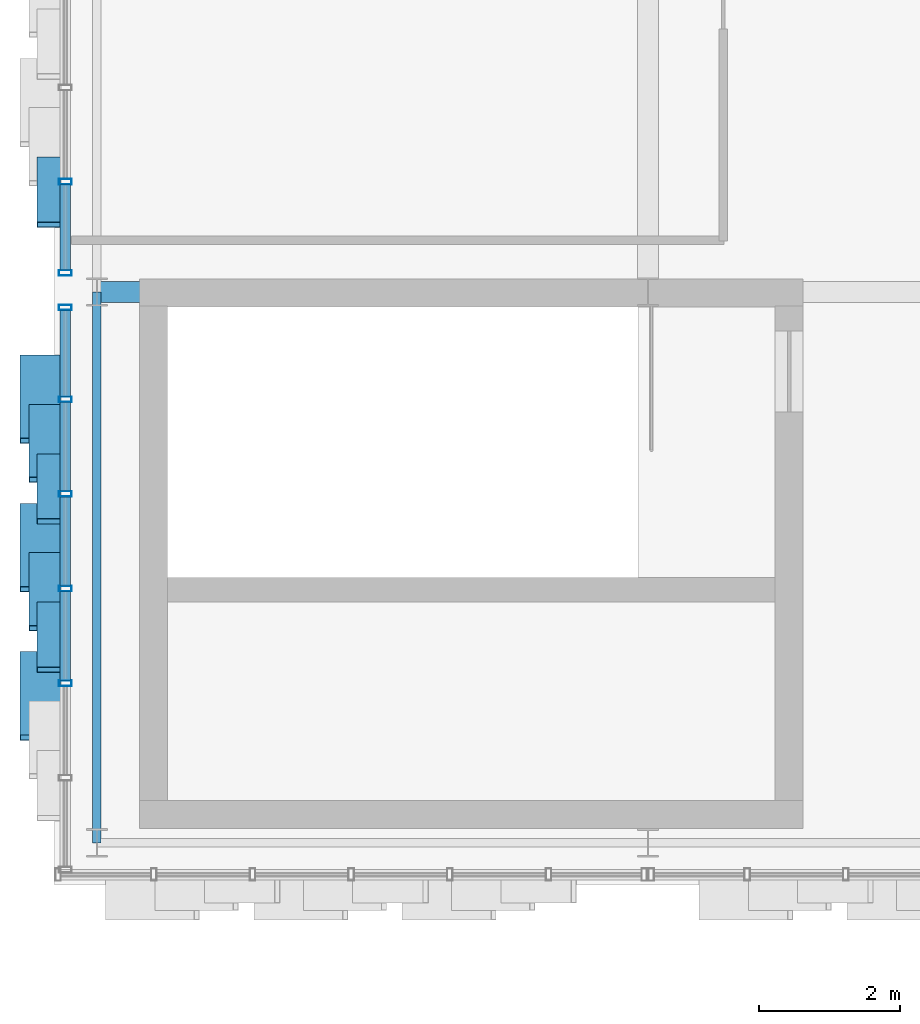
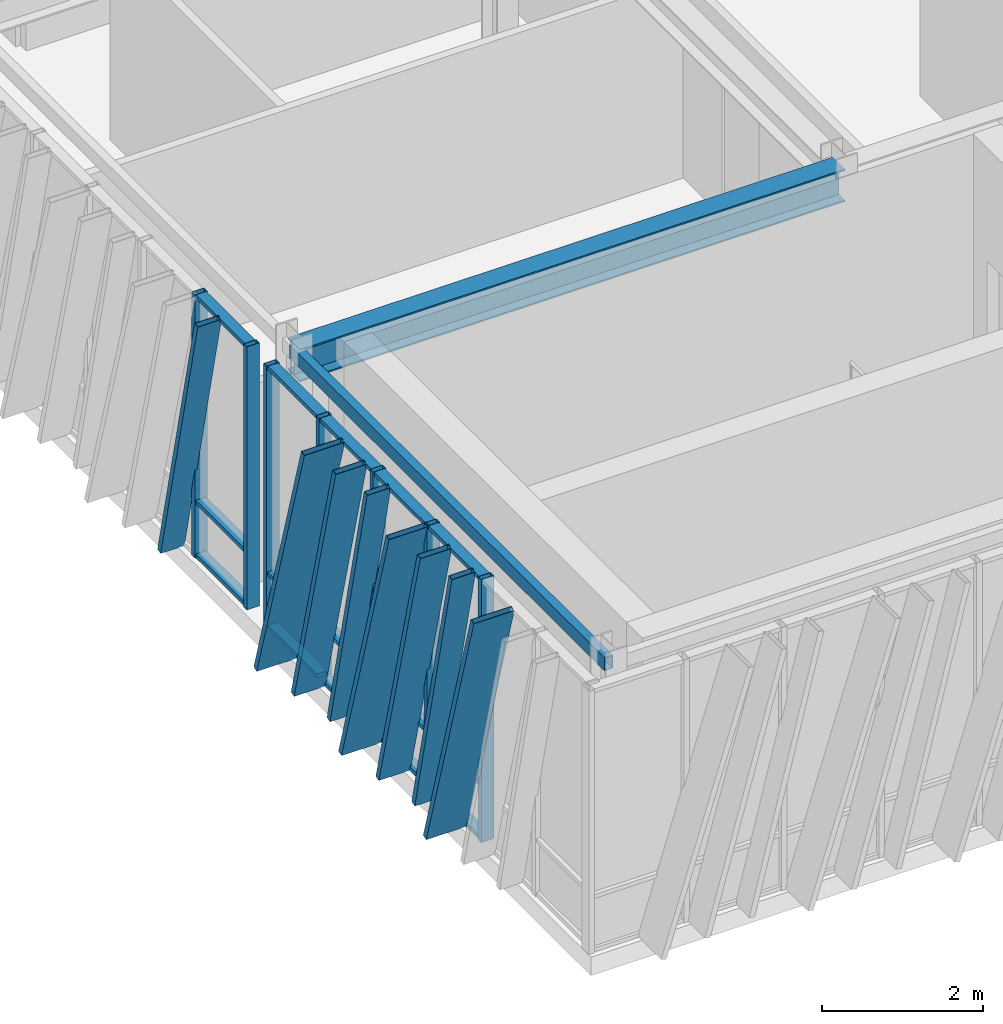
# One storey, part 32 of 123: 30 members, 2 beams, 2 elements without a shape of their own.
"""IFC4 building model written with IfcOpenShell, lengths in metres."""

from ifc_helpers import new_model, si_unit, direction, frame, origin, origin_2d, place, context, subcontext, project, spatial, hollow_rectangle, i_section, extrude, material, layer, layer_set, material_profile, profile_set, type_object, element, aggregate, save


model = new_model("IFC4")

# Units and contexts
model_context = context("Model", 3, precision=1e-05, world=origin(), true_north=direction((0.0, 1.0)))
body_context = subcontext(model_context, "Body", "Model", "MODEL_VIEW")
ifc_project = project(units=[si_unit("LENGTHUNIT", "METRE"), si_unit("AREAUNIT", "SQUARE_METRE"), si_unit("VOLUMEUNIT", "CUBIC_METRE"), si_unit("PLANEANGLEUNIT", "RADIAN"), si_unit("MASSUNIT", "GRAM", prefix="KILO")], contexts=[model_context])

# Site, building, storey
site_placement = place(None, origin())
site = spatial("IfcSite", under=ifc_project, at=site_placement, CompositionType="ELEMENT")
building_placement = place(site_placement, origin())
building = spatial("IfcBuilding", under=site, at=building_placement, Name="Zayran Congress Hotel", CompositionType="ELEMENT")
storey_placement = place(building_placement, frame((0.0, 0.0, 15.0)))
storey = spatial("IfcBuildingStorey", under=building, at=storey_placement, Name="L03", CompositionType="ELEMENT", Elevation=15.0)

# Beams
ifc_material_1 = material(Name="Steel S355", Category="steel")
ifc_material_profile_1 = material_profile(ifc_material_1, i_section(OverallWidth=0.300048828125, OverallDepth=0.489990234375, WebThickness=0.011962890625, FlangeThickness=0.02294921875, at=origin_2d()), Name="HEA 500")
ifc_profile_set_1 = profile_set([ifc_material_profile_1], Name="Steel S355")
beam_type_1 = type_object("IfcBeamType", Name="TP-BM-05", PredefinedType="BEAM", material=ifc_profile_set_1)
beam_1_placement = place(storey_placement, frame((9.0, 76.0, 3.735107421875), z_axis=(1.0, 0.0, 0.0), x_axis=(0.0, 1.0, 0.0)))
element("IfcBeam", 1, at=beam_1_placement, inside=storey, type_object=beam_type_1, Name="BM-V1-L03-0801", PredefinedType="BEAM", context=body_context, shape_type="SweptSolid", body=[
    extrude(i_section(OverallWidth=0.300048828125, OverallDepth=0.489990234375, WebThickness=0.011962890625, FlangeThickness=0.02294921875, at=origin_2d()), origin(), (0.0, 0.0, 1.0), 7.800048828125),
])
ifc_material_profile_2 = material_profile(ifc_material_1, hollow_rectangle(XDim=0.1201171875, YDim=0.199951171875, WallThickness=0.008056640625, at=origin_2d()), Name="RHS 200x120x8")
ifc_profile_set_2 = profile_set([ifc_material_profile_2], Name="Steel S355")
beam_type_2 = type_object("IfcBeamType", Name="TP-SP-02", PredefinedType="SPANDREL", material=ifc_profile_set_2)
beam_2_placement = place(storey_placement, frame((9.0, 68.199951171875, 3.8798828125), z_axis=(0.0, 1.0, 0.0), x_axis=(-1.0, 0.0, 0.0)))
element("IfcBeam", 2, at=beam_2_placement, inside=storey, type_object=beam_type_2, Name="BM-V1-L03-0849", PredefinedType="SPANDREL", context=body_context, shape_type="SweptSolid", body=[
    extrude(hollow_rectangle(XDim=0.1201171875, YDim=0.199951171875, WallThickness=0.008056640625, at=origin_2d()), origin(), (0.0, 0.0, 1.0), 7.800048828125),
])

# Curtain wall, members
ifc_material_2 = material(Name="Anodised aluminium and low-E insulated glass", Category="aluminium")
ifc_layer_1 = layer(ifc_material_2, 0.179931640625)
ifc_layer_set_1 = layer_set([ifc_layer_1], Name="Anodised aluminium and low-E insulated glass")
curtain_wall_type_1 = type_object("IfcCurtainWallType", Name="CW-V1W-L03-CW-31-8040-3980", PredefinedType="USERDEFINED", material=ifc_layer_set_1)
curtain_wall_1_placement = place(storey_placement, origin())
curtain_wall_1 = element("IfcCurtainWall", 3, at=curtain_wall_1_placement, inside=storey, type_object=curtain_wall_type_1, Name="CW-V1W-L03-0", ObjectType="CURTAIN WALL", PredefinedType="USERDEFINED")
ifc_material_3 = material(Name="Anodised aluminium framing", Category="aluminium")
ifc_material_profile_3 = material_profile(ifc_material_3, hollow_rectangle(XDim=0.080078125, YDim=0.179931640625, WallThickness=0.0048828125, at=origin_2d()), Name="RHS 180x80x5")
ifc_profile_set_3 = profile_set([ifc_material_profile_3], Name="Anodised aluminium framing")
member_type_1 = type_object("IfcMemberType", Name="TP-CWM-01", PredefinedType="MULLION", material=ifc_profile_set_3)
member_1_placement = place(storey_placement, frame((8.550048828125, 75.780029296875, 0.0), z_axis=(0.0, 0.0, 1.0), x_axis=(0.0, 1.0, 0.0)))
member_1 = element("IfcMember", 4, at=member_1_placement, type_object=member_type_1, Name="CW-V1W-L03-0-M00", PredefinedType="MULLION", context=body_context, shape_type="SweptSolid", body=[
    extrude(hollow_rectangle(XDim=0.080078125, YDim=0.179931640625, WallThickness=0.0048828125, at=origin_2d()), origin(), (0.0, 0.0, 1.0), 3.97998046875),
])
member_2_placement = place(storey_placement, frame((8.550048828125, 74.47998046875, 0.0), z_axis=(0.0, 0.0, 1.0), x_axis=(0.0, 1.0, 0.0)))
member_2 = element("IfcMember", 5, at=member_2_placement, type_object=member_type_1, Name="CW-V1W-L03-0-M01", PredefinedType="MULLION", context=body_context, shape_type="SweptSolid", body=[
    extrude(hollow_rectangle(XDim=0.080078125, YDim=0.179931640625, WallThickness=0.0048828125, at=origin_2d()), origin(), (0.0, 0.0, 1.0), 3.97998046875),
])
member_3_placement = place(storey_placement, frame((8.550048828125, 73.139892578125, 0.0), z_axis=(0.0, 0.0, 1.0), x_axis=(0.0, 1.0, 0.0)))
member_3 = element("IfcMember", 6, at=member_3_placement, type_object=member_type_1, Name="CW-V1W-L03-0-M02", PredefinedType="MULLION", context=body_context, shape_type="SweptSolid", body=[
    extrude(hollow_rectangle(XDim=0.080078125, YDim=0.179931640625, WallThickness=0.0048828125, at=origin_2d()), origin(), (0.0, 0.0, 1.0), 3.97998046875),
])
member_4_placement = place(storey_placement, frame((8.550048828125, 71.800048828125, 0.0), z_axis=(0.0, 0.0, 1.0), x_axis=(0.0, 1.0, 0.0)))
member_4 = element("IfcMember", 7, at=member_4_placement, type_object=member_type_1, Name="CW-V1W-L03-0-M03", PredefinedType="MULLION", context=body_context, shape_type="SweptSolid", body=[
    extrude(hollow_rectangle(XDim=0.080078125, YDim=0.179931640625, WallThickness=0.0048828125, at=origin_2d()), origin(), (0.0, 0.0, 1.0), 3.97998046875),
])
member_5_placement = place(storey_placement, frame((8.550048828125, 70.4599609375, 0.0), z_axis=(0.0, 0.0, 1.0), x_axis=(0.0, 1.0, 0.0)))
member_5 = element("IfcMember", 8, at=member_5_placement, type_object=member_type_1, Name="CW-V1W-L03-0-M04", PredefinedType="MULLION", context=body_context, shape_type="SweptSolid", body=[
    extrude(hollow_rectangle(XDim=0.080078125, YDim=0.179931640625, WallThickness=0.0048828125, at=origin_2d()), origin(), (0.0, 0.0, 1.0), 3.97998046875),
])

ifc_layer_2 = layer(ifc_material_2, 0.179931640625)
ifc_layer_set_2 = layer_set([ifc_layer_2], Name="Anodised aluminium and low-E insulated glass")
curtain_wall_type_2 = type_object("IfcCurtainWallType", Name="CW-V1W-L03-CW-32-7990-3980", PredefinedType="USERDEFINED", material=ifc_layer_set_2)
curtain_wall_2_placement = place(storey_placement, origin())
curtain_wall_2 = element("IfcCurtainWall", 9, at=curtain_wall_2_placement, inside=storey, type_object=curtain_wall_type_2, Name="CW-V1W-L03-1", ObjectType="CURTAIN WALL", PredefinedType="USERDEFINED")
member_6_placement = place(storey_placement, frame((8.550048828125, 77.561767578125, 0.0), z_axis=(0.0, 0.0, 1.0), x_axis=(0.0, 1.0, 0.0)))
member_6 = element("IfcMember", 10, at=member_6_placement, type_object=member_type_1, Name="CW-V1W-L03-1-M05", PredefinedType="MULLION", context=body_context, shape_type="SweptSolid", body=[
    extrude(hollow_rectangle(XDim=0.080078125, YDim=0.179931640625, WallThickness=0.0048828125, at=origin_2d()), origin(), (0.0, 0.0, 1.0), 3.97998046875),
])
member_7_placement = place(storey_placement, frame((8.550048828125, 76.27001953125, 0.0), z_axis=(0.0, 0.0, 1.0), x_axis=(0.0, 1.0, 0.0)))
member_7 = element("IfcMember", 11, at=member_7_placement, type_object=member_type_1, Name="CW-V1W-L03-1-M06", PredefinedType="MULLION", context=body_context, shape_type="SweptSolid", body=[
    extrude(hollow_rectangle(XDim=0.080078125, YDim=0.179931640625, WallThickness=0.0048828125, at=origin_2d()), origin(), (0.0, 0.0, 1.0), 3.97998046875),
])

# Member
ifc_material_profile_4 = material_profile(ifc_material_3, hollow_rectangle(XDim=0.06005859375, YDim=0.14990234375, WallThickness=0.00390625, at=origin_2d()), Name="RHS 150x60x4")
ifc_profile_set_4 = profile_set([ifc_material_profile_4], Name="Anodised aluminium framing")
member_type_2 = type_object("IfcMemberType", Name="TP-CWT-01", PredefinedType="USERDEFINED", material=ifc_profile_set_4)
member_8_placement = place(storey_placement, frame((8.550048828125, 75.739990234375, 0.030029296875), z_axis=(0.0, -1.0, 0.0), x_axis=(0.0, 0.0, 1.0)))
member_8 = element("IfcMember", 12, at=member_8_placement, type_object=member_type_2, Name="CW-V1W-L03-0-T00-0", ObjectType="TRANSOM", PredefinedType="USERDEFINED", context=body_context, shape_type="SweptSolid", body=[
    extrude(hollow_rectangle(XDim=0.06005859375, YDim=0.14990234375, WallThickness=0.00390625, at=origin_2d()), origin(), (0.0, 0.0, 1.0), 1.219970703125),
])

member_9_placement = place(storey_placement, frame((8.550048828125, 75.739990234375, 0.840087890625), z_axis=(0.0, -1.0, 0.0), x_axis=(0.0, 0.0, 1.0)))
member_9 = element("IfcMember", 13, at=member_9_placement, type_object=member_type_2, Name="CW-V1W-L03-0-T00-1", ObjectType="TRANSOM", PredefinedType="USERDEFINED", context=body_context, shape_type="SweptSolid", body=[
    extrude(hollow_rectangle(XDim=0.06005859375, YDim=0.14990234375, WallThickness=0.00390625, at=origin_2d()), origin(), (0.0, 0.0, 1.0), 1.219970703125),
])

member_10_placement = place(storey_placement, frame((8.550048828125, 75.739990234375, 3.949951171875), z_axis=(0.0, -1.0, 0.0), x_axis=(0.0, 0.0, 1.0)))
member_10 = element("IfcMember", 14, at=member_10_placement, type_object=member_type_2, Name="CW-V1W-L03-0-T00-2", ObjectType="TRANSOM", PredefinedType="USERDEFINED", context=body_context, shape_type="SweptSolid", body=[
    extrude(hollow_rectangle(XDim=0.06005859375, YDim=0.14990234375, WallThickness=0.00390625, at=origin_2d()), origin(), (0.0, 0.0, 1.0), 1.219970703125),
])

member_11_placement = place(storey_placement, frame((8.550048828125, 74.43994140625, 0.030029296875), z_axis=(0.0, -1.0, 0.0), x_axis=(0.0, 0.0, 1.0)))
member_11 = element("IfcMember", 15, at=member_11_placement, type_object=member_type_2, Name="CW-V1W-L03-0-T01-0", ObjectType="TRANSOM", PredefinedType="USERDEFINED", context=body_context, shape_type="SweptSolid", body=[
    extrude(hollow_rectangle(XDim=0.06005859375, YDim=0.14990234375, WallThickness=0.00390625, at=origin_2d()), origin(), (0.0, 0.0, 1.0), 1.260009765625),
])

member_12_placement = place(storey_placement, frame((8.550048828125, 74.43994140625, 0.840087890625), z_axis=(0.0, -1.0, 0.0), x_axis=(0.0, 0.0, 1.0)))
member_12 = element("IfcMember", 16, at=member_12_placement, type_object=member_type_2, Name="CW-V1W-L03-0-T01-1", ObjectType="TRANSOM", PredefinedType="USERDEFINED", context=body_context, shape_type="SweptSolid", body=[
    extrude(hollow_rectangle(XDim=0.06005859375, YDim=0.14990234375, WallThickness=0.00390625, at=origin_2d()), origin(), (0.0, 0.0, 1.0), 1.260009765625),
])

member_13_placement = place(storey_placement, frame((8.550048828125, 74.43994140625, 3.949951171875), z_axis=(0.0, -1.0, 0.0), x_axis=(0.0, 0.0, 1.0)))
member_13 = element("IfcMember", 17, at=member_13_placement, type_object=member_type_2, Name="CW-V1W-L03-0-T01-2", ObjectType="TRANSOM", PredefinedType="USERDEFINED", context=body_context, shape_type="SweptSolid", body=[
    extrude(hollow_rectangle(XDim=0.06005859375, YDim=0.14990234375, WallThickness=0.00390625, at=origin_2d()), origin(), (0.0, 0.0, 1.0), 1.260009765625),
])

member_14_placement = place(storey_placement, frame((8.550048828125, 73.10009765625, 0.030029296875), z_axis=(0.0, -1.0, 0.0), x_axis=(0.0, 0.0, 1.0)))
member_14 = element("IfcMember", 18, at=member_14_placement, type_object=member_type_2, Name="CW-V1W-L03-0-T02-0", ObjectType="TRANSOM", PredefinedType="USERDEFINED", context=body_context, shape_type="SweptSolid", body=[
    extrude(hollow_rectangle(XDim=0.06005859375, YDim=0.14990234375, WallThickness=0.00390625, at=origin_2d()), origin(), (0.0, 0.0, 1.0), 1.260009765625),
])

member_15_placement = place(storey_placement, frame((8.550048828125, 73.10009765625, 0.840087890625), z_axis=(0.0, -1.0, 0.0), x_axis=(0.0, 0.0, 1.0)))
member_15 = element("IfcMember", 19, at=member_15_placement, type_object=member_type_2, Name="CW-V1W-L03-0-T02-1", ObjectType="TRANSOM", PredefinedType="USERDEFINED", context=body_context, shape_type="SweptSolid", body=[
    extrude(hollow_rectangle(XDim=0.06005859375, YDim=0.14990234375, WallThickness=0.00390625, at=origin_2d()), origin(), (0.0, 0.0, 1.0), 1.260009765625),
])

member_16_placement = place(storey_placement, frame((8.550048828125, 73.10009765625, 3.949951171875), z_axis=(0.0, -1.0, 0.0), x_axis=(0.0, 0.0, 1.0)))
member_16 = element("IfcMember", 20, at=member_16_placement, type_object=member_type_2, Name="CW-V1W-L03-0-T02-2", ObjectType="TRANSOM", PredefinedType="USERDEFINED", context=body_context, shape_type="SweptSolid", body=[
    extrude(hollow_rectangle(XDim=0.06005859375, YDim=0.14990234375, WallThickness=0.00390625, at=origin_2d()), origin(), (0.0, 0.0, 1.0), 1.260009765625),
])

member_17_placement = place(storey_placement, frame((8.550048828125, 71.760009765625, 0.030029296875), z_axis=(0.0, -1.0, 0.0), x_axis=(0.0, 0.0, 1.0)))
member_17 = element("IfcMember", 21, at=member_17_placement, type_object=member_type_2, Name="CW-V1W-L03-0-T03-0", ObjectType="TRANSOM", PredefinedType="USERDEFINED", context=body_context, shape_type="SweptSolid", body=[
    extrude(hollow_rectangle(XDim=0.06005859375, YDim=0.14990234375, WallThickness=0.00390625, at=origin_2d()), origin(), (0.0, 0.0, 1.0), 1.260009765625),
])

member_18_placement = place(storey_placement, frame((8.550048828125, 71.760009765625, 0.840087890625), z_axis=(0.0, -1.0, 0.0), x_axis=(0.0, 0.0, 1.0)))
member_18 = element("IfcMember", 22, at=member_18_placement, type_object=member_type_2, Name="CW-V1W-L03-0-T03-1", ObjectType="TRANSOM", PredefinedType="USERDEFINED", context=body_context, shape_type="SweptSolid", body=[
    extrude(hollow_rectangle(XDim=0.06005859375, YDim=0.14990234375, WallThickness=0.00390625, at=origin_2d()), origin(), (0.0, 0.0, 1.0), 1.260009765625),
])

member_19_placement = place(storey_placement, frame((8.550048828125, 71.760009765625, 3.949951171875), z_axis=(0.0, -1.0, 0.0), x_axis=(0.0, 0.0, 1.0)))
member_19 = element("IfcMember", 23, at=member_19_placement, type_object=member_type_2, Name="CW-V1W-L03-0-T03-2", ObjectType="TRANSOM", PredefinedType="USERDEFINED", context=body_context, shape_type="SweptSolid", body=[
    extrude(hollow_rectangle(XDim=0.06005859375, YDim=0.14990234375, WallThickness=0.00390625, at=origin_2d()), origin(), (0.0, 0.0, 1.0), 1.260009765625),
])

member_20_placement = place(storey_placement, frame((8.550048828125, 77.521728515625, 0.030029296875), z_axis=(0.0, -1.0, 0.0), x_axis=(0.0, 0.0, 1.0)))
member_20 = element("IfcMember", 24, at=member_20_placement, type_object=member_type_2, Name="CW-V1W-L03-1-T05-0", ObjectType="TRANSOM", PredefinedType="USERDEFINED", context=body_context, shape_type="SweptSolid", body=[
    extrude(hollow_rectangle(XDim=0.06005859375, YDim=0.14990234375, WallThickness=0.00390625, at=origin_2d()), origin(), (0.0, 0.0, 1.0), 1.211669921875),
])

member_21_placement = place(storey_placement, frame((8.550048828125, 77.521728515625, 0.840087890625), z_axis=(0.0, -1.0, 0.0), x_axis=(0.0, 0.0, 1.0)))
member_21 = element("IfcMember", 25, at=member_21_placement, type_object=member_type_2, Name="CW-V1W-L03-1-T05-1", ObjectType="TRANSOM", PredefinedType="USERDEFINED", context=body_context, shape_type="SweptSolid", body=[
    extrude(hollow_rectangle(XDim=0.06005859375, YDim=0.14990234375, WallThickness=0.00390625, at=origin_2d()), origin(), (0.0, 0.0, 1.0), 1.211669921875),
])

member_22_placement = place(storey_placement, frame((8.550048828125, 77.521728515625, 3.949951171875), z_axis=(0.0, -1.0, 0.0), x_axis=(0.0, 0.0, 1.0)))
member_22 = element("IfcMember", 26, at=member_22_placement, type_object=member_type_2, Name="CW-V1W-L03-1-T05-2", ObjectType="TRANSOM", PredefinedType="USERDEFINED", context=body_context, shape_type="SweptSolid", body=[
    extrude(hollow_rectangle(XDim=0.06005859375, YDim=0.14990234375, WallThickness=0.00390625, at=origin_2d()), origin(), (0.0, 0.0, 1.0), 1.211669921875),
])

ifc_material_4 = material(Name="Warm bronze anodised aluminium", Category="aluminium")
ifc_material_profile_5 = material_profile(ifc_material_4, hollow_rectangle(XDim=0.080078125, YDim=0.580078125, WallThickness=0.006103515625, at=origin_2d()), Name="RHS 580x80x6")
ifc_profile_set_5 = profile_set([ifc_material_profile_5], Name="Warm bronze anodised aluminium")
member_type_3 = type_object("IfcMemberType", Name="TP-RFN-01", PredefinedType="MULLION", material=ifc_profile_set_5)
member_23_placement = place(storey_placement, frame((8.199951171875, 75.070068359375, 0.0), z_axis=(0.0, -0.284022244508, 0.958817691026), x_axis=(0.0, 0.958817691026, 0.284022244508)))
member_23 = element("IfcMember", 27, at=member_23_placement, type_object=member_type_3, Name="Slanting Reed Mullion CW-31-01", PredefinedType="MULLION", context=body_context, shape_type="SweptSolid", body=[
    extrude(hollow_rectangle(XDim=0.080078125, YDim=0.580078125, WallThickness=0.006103515625, at=origin_2d()), origin(), (0.0, 0.0, 1.0), 4.15087890625),
])

member_24_placement = place(storey_placement, frame((8.199951171875, 72.969970703125, 0.0), z_axis=(0.0, -0.284022244508, 0.958817691026), x_axis=(0.0, 0.958817691026, 0.284022244508)))
member_24 = element("IfcMember", 28, at=member_24_placement, type_object=member_type_3, Name="Slanting Reed Mullion CW-31-04", PredefinedType="MULLION", context=body_context, shape_type="SweptSolid", body=[
    extrude(hollow_rectangle(XDim=0.080078125, YDim=0.580078125, WallThickness=0.006103515625, at=origin_2d()), origin(), (0.0, 0.0, 1.0), 4.15087890625),
])

member_25_placement = place(storey_placement, frame((8.199951171875, 70.8701171875, 0.0), z_axis=(0.0, -0.284022244508, 0.958817691026), x_axis=(0.0, 0.958817691026, 0.284022244508)))
member_25 = element("IfcMember", 29, at=member_25_placement, type_object=member_type_3, Name="Slanting Reed Mullion CW-31-07", PredefinedType="MULLION", context=body_context, shape_type="SweptSolid", body=[
    extrude(hollow_rectangle(XDim=0.080078125, YDim=0.580078125, WallThickness=0.006103515625, at=origin_2d()), origin(), (0.0, 0.0, 1.0), 4.15087890625),
])

ifc_material_profile_6 = material_profile(ifc_material_4, hollow_rectangle(XDim=0.080078125, YDim=0.449951171875, WallThickness=0.006103515625, at=origin_2d()), Name="RHS 450x80x6")
ifc_profile_set_6 = profile_set([ifc_material_profile_6], Name="Warm bronze anodised aluminium")
member_type_4 = type_object("IfcMemberType", Name="TP-RFN-02", PredefinedType="MULLION", material=ifc_profile_set_6)
member_26_placement = place(storey_placement, frame((8.264892578125, 74.3701171875, 0.0), z_axis=(0.0, -0.250380902481, 0.968147408029), x_axis=(0.0, 0.968147408029, 0.250380902481)))
member_26 = element("IfcMember", 30, at=member_26_placement, type_object=member_type_4, Name="Slanting Reed Mullion CW-31-02", PredefinedType="MULLION", context=body_context, shape_type="SweptSolid", body=[
    extrude(hollow_rectangle(XDim=0.080078125, YDim=0.449951171875, WallThickness=0.006103515625, at=origin_2d()), origin(), (0.0, 0.0, 1.0), 4.11083984375),
])

member_27_placement = place(storey_placement, frame((8.264892578125, 72.27001953125, 0.0), z_axis=(0.0, -0.250380902481, 0.968147408029), x_axis=(0.0, 0.968147408029, 0.250380902481)))
member_27 = element("IfcMember", 31, at=member_27_placement, type_object=member_type_4, Name="Slanting Reed Mullion CW-31-05", PredefinedType="MULLION", context=body_context, shape_type="SweptSolid", body=[
    extrude(hollow_rectangle(XDim=0.080078125, YDim=0.449951171875, WallThickness=0.006103515625, at=origin_2d()), origin(), (0.0, 0.0, 1.0), 4.11083984375),
])

ifc_material_profile_7 = material_profile(ifc_material_4, hollow_rectangle(XDim=0.080078125, YDim=0.340087890625, WallThickness=0.006103515625, at=origin_2d()), Name="RHS 340x80x6")
ifc_profile_set_7 = profile_set([ifc_material_profile_7], Name="Warm bronze anodised aluminium")
member_type_5 = type_object("IfcMemberType", Name="TP-RFN-03", PredefinedType="MULLION", material=ifc_profile_set_7)
member_28_placement = place(storey_placement, frame((8.320068359375, 73.669921875, 0.0), z_axis=(0.0, -0.224916254679, 0.974378098266), x_axis=(0.0, 0.974378098266, 0.224916254679)))
member_28 = element("IfcMember", 32, at=member_28_placement, type_object=member_type_5, Name="Slanting Reed Mullion CW-31-03", PredefinedType="MULLION", context=body_context, shape_type="SweptSolid", body=[
    extrude(hollow_rectangle(XDim=0.080078125, YDim=0.340087890625, WallThickness=0.006103515625, at=origin_2d()), origin(), (0.0, 0.0, 1.0), 4.084716796875),
])

member_29_placement = place(storey_placement, frame((8.320068359375, 71.570068359375, 0.0), z_axis=(0.0, -0.224973000371, 0.974364997885), x_axis=(0.0, 0.974364997885, 0.224973000371)))
member_29 = element("IfcMember", 33, at=member_29_placement, type_object=member_type_5, Name="Slanting Reed Mullion CW-31-06", PredefinedType="MULLION", context=body_context, shape_type="SweptSolid", body=[
    extrude(hollow_rectangle(XDim=0.080078125, YDim=0.340087890625, WallThickness=0.006103515625, at=origin_2d()), origin(), (0.0, 0.0, 1.0), 4.084716796875),
])

aggregate(curtain_wall_1, [member_1, member_2, member_3, member_4, member_5, member_8, member_9, member_10, member_11, member_12, member_13, member_14, member_15, member_16, member_17, member_18, member_19, member_23, member_26, member_28, member_24, member_27, member_29, member_25])

member_30_placement = place(storey_placement, frame((8.320068359375, 77.8701171875, 0.0), z_axis=(0.0, -0.224973000371, 0.974364997885), x_axis=(0.0, 0.974364997885, 0.224973000371)))
member_30 = element("IfcMember", 34, at=member_30_placement, type_object=member_type_5, Name="Slanting Reed Mullion CW-32-09", PredefinedType="MULLION", context=body_context, shape_type="SweptSolid", body=[
    extrude(hollow_rectangle(XDim=0.080078125, YDim=0.340087890625, WallThickness=0.006103515625, at=origin_2d()), origin(), (0.0, 0.0, 1.0), 4.084716796875),
])

aggregate(curtain_wall_2, [member_6, member_7, member_20, member_21, member_22, member_30])

save(model, "model.ifc")
